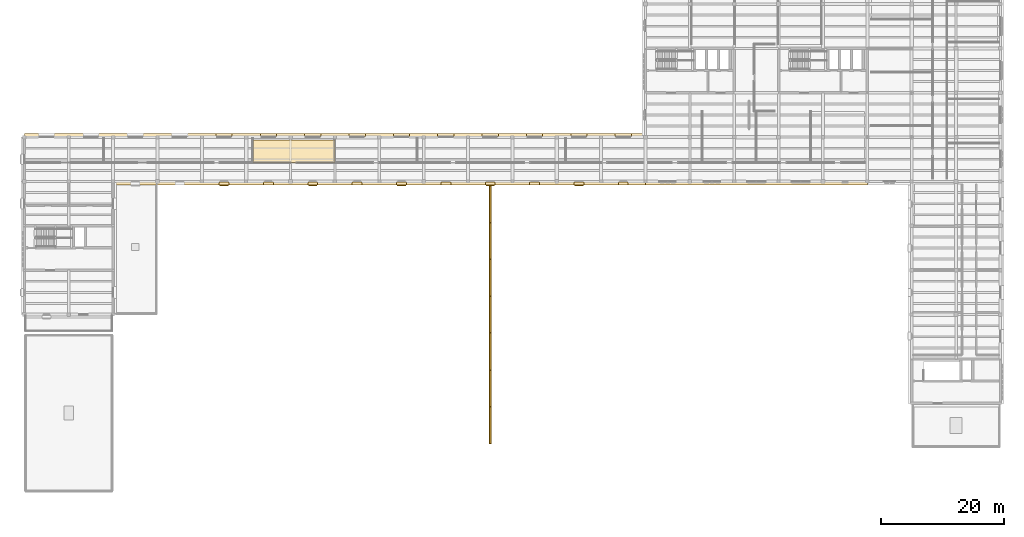
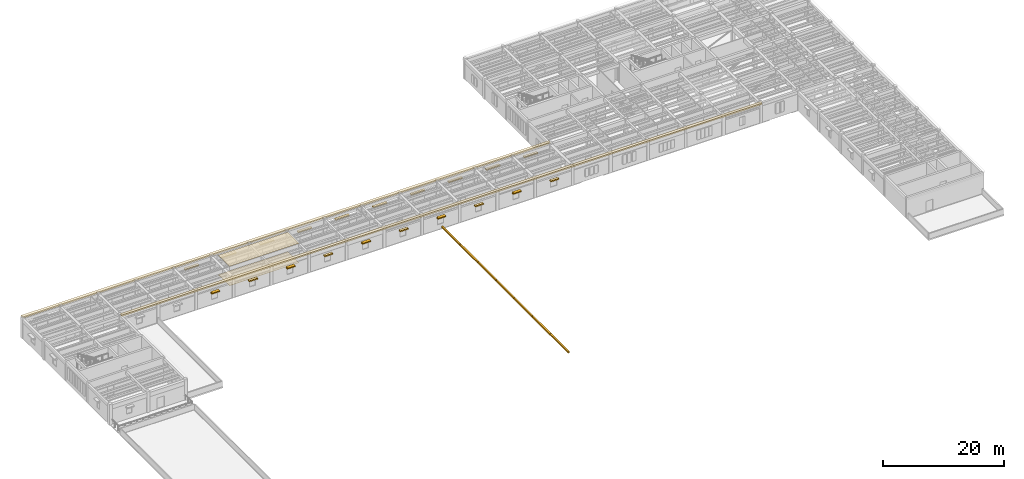
# One storey, part 25 of 27: 32 coverings, 5 shading devices.
"""IFC4 building model written with IfcOpenShell, lengths in metres."""

from ifc_helpers import new_model, si_unit, direction, frame, origin, origin_2d, place, context, subcontext, project, spatial, polyline, rectangle, outline, extrude, material, layer, layer_set, type_object, element, save


model = new_model("IFC4")

# Units and contexts
model_context = context("Model", 3, precision=1e-05, world=origin(), true_north=direction((0.0, 1.0)))
body_context = subcontext(model_context, "Body", "Model", "MODEL_VIEW")
ifc_project = project(units=[si_unit("LENGTHUNIT", "METRE"), si_unit("AREAUNIT", "SQUARE_METRE"), si_unit("VOLUMEUNIT", "CUBIC_METRE"), si_unit("PLANEANGLEUNIT", "RADIAN"), si_unit("MASSUNIT", "GRAM", prefix="KILO")], contexts=[model_context])

# Site, building, storey
site_placement = place(None, origin())
site = spatial("IfcSite", under=ifc_project, at=site_placement, CompositionType="ELEMENT")
building_placement = place(site_placement, origin())
building = spatial("IfcBuilding", under=site, at=building_placement, Name="Mithqara Police Headquarters", CompositionType="ELEMENT")
storey_placement = place(building_placement, frame((0.0, 0.0, 18.0)))
storey = spatial("IfcBuildingStorey", under=building, at=storey_placement, Name="L04", CompositionType="ELEMENT", Elevation=18.0)

# Coverings
ifc_material_1 = material(Name="Acoustic mineral-fibre ceiling tile", Category="gypsum")
ifc_layer_1 = layer(ifc_material_1, 0.02490234375, Name="Acoustic mineral-fibre ceiling tile")
ifc_layer_set_1 = layer_set([ifc_layer_1], Name="Acoustic mineral-fibre ceiling tile")
covering_type_1 = type_object("IfcCoveringType", Name="ACOUSTIC CEILING TILE", PredefinedType="CEILING", material=ifc_layer_set_1)
covering_1_placement = place(storey_placement, frame((0.0, 0.0, 3.9150390625)))
element("IfcCovering", 1, at=covering_1_placement, inside=storey, type_object=covering_type_1, Name="Evidence Review Room Acoustic Ceiling", PredefinedType="CEILING", context=body_context, shape_type="SweptSolid", body=[
    extrude(outline(polyline([(44.875, 81.659912109375), (58.179931640625, 81.659912109375), (58.179931640625, 85.360107421875), (44.875, 85.360107421875), (44.875, 81.659912109375)])), origin(), (0.0, 0.0, 1.0), 0.02490234375),
])
ifc_material_2 = material(Name="Limestone ashlar masonry, 45 MPa", Category="masonry")
ifc_layer_2 = layer(ifc_material_2, 0.320068359375, Name="Limestone ashlar masonry, 45 MPa")
ifc_layer_set_2 = layer_set([ifc_layer_2], Name="Limestone ashlar masonry, 45 MPa")
covering_type_2 = type_object("IfcCoveringType", Name="CORNICE LIMESTONE", PredefinedType="CLADDING", material=ifc_layer_set_2)
covering_2_placement = place(storey_placement, frame((58.199951171875, 86.080078125, 3.919921875), z_axis=(0.0, 0.0, 1.0), x_axis=(1.0, 0.0, 0.0)))
element("IfcCovering", 2, at=covering_2_placement, inside=storey, type_object=covering_type_2, Name="L04 Projecting Ottoman Limestone Eaves Cornice 8", PredefinedType="CLADDING", context=body_context, shape_type="SweptSolid", body=[
    extrude(rectangle(XDim=100.800048828125, YDim=0.56005859375, at=origin_2d()), origin(), (0.0, 0.0, 1.0), 0.280029296875),
])
covering_3_placement = place(storey_placement, frame((65.39990234375, 78.320068359375, 3.919921875), z_axis=(0.0, 0.0, 1.0), x_axis=(1.0, 0.0, 0.0)))
element("IfcCovering", 3, at=covering_3_placement, inside=storey, type_object=covering_type_2, Name="L04 Projecting Ottoman Limestone Eaves Cornice 13", PredefinedType="CLADDING", context=body_context, shape_type="SweptSolid", body=[
    extrude(rectangle(XDim=86.39990234375, YDim=0.56005859375, at=origin_2d()), origin(), (0.0, 0.0, 1.0), 0.280029296875),
])
covering_4_placement = place(storey_placement, frame((126.60009765625, 78.320068359375, 3.919921875), z_axis=(0.0, 0.0, 1.0), x_axis=(1.0, 0.0, 0.0)))
element("IfcCovering", 4, at=covering_4_placement, inside=storey, type_object=covering_type_2, Name="L04 Projecting Ottoman Limestone Eaves Cornice 14", PredefinedType="CLADDING", context=body_context, shape_type="SweptSolid", body=[
    extrude(rectangle(XDim=36.0, YDim=0.56005859375, at=origin_2d()), origin(), (0.0, 0.0, 1.0), 0.280029296875),
])
for number, where, z_axis, x_axis, name in (
    (5, (83.39990234375, 39.04296875, 0.580078125), (0.0, 0.0, 1.0), (1.0, 0.0, 0.0), "Arch Flashing Seam Trim B1-K3"),
    (6, (83.39990234375, 45.028564453125, 0.580078125), (0.0, 0.0, 1.0), (1.0, 0.0, 0.0), "Arch Flashing Seam Trim B2-K3"),
    (7, (83.39990234375, 51.014404296875, 0.580078125), (0.0, 0.0, 1.0), (1.0, 0.0, 0.0), "Arch Flashing Seam Trim B3-K3"),
    (8, (83.39990234375, 57.0, 0.580078125), (0.0, 0.0, 1.0), (1.0, 0.0, 0.0), "Arch Flashing Seam Trim B4-K3"),
    (9, (83.39990234375, 62.985595703125, 0.580078125), (0.0, 0.0, 1.0), (1.0, 0.0, 0.0), "Arch Flashing Seam Trim B5-K3"),
    (10, (83.39990234375, 68.971435546875, 0.580078125), (0.0, 0.0, 1.0), (1.0, 0.0, 0.0), "Arch Flashing Seam Trim B6-K3"),
    (11, (83.39990234375, 74.95703125, 0.580078125), (0.0, 0.0, 1.0), (1.0, 0.0, 0.0), "Arch Flashing Seam Trim B7-K3"),
):
    element("IfcCovering", number, at=place(storey_placement, frame(where, z_axis=z_axis, x_axis=x_axis)), inside=storey, type_object=covering_type_2, Name=name, PredefinedType="CLADDING", context=body_context, shape_type="SweptSolid", body=[
        extrude(rectangle(XDim=0.300048828125, YDim=6.02587890625, at=origin_2d()), origin(), (0.0, 0.0, 1.0), 0.300048828125),
    ])

# Shading devices
ifc_material_3 = material(Name="Bronze anodised aluminium 6063-T6", Category="aluminium")
shading_device_type = type_object("IfcShadingDeviceType", Name="SOLAR LOUVRE BRONZE", PredefinedType="JALOUSIE", material=ifc_material_3)
for number, where, z_axis, x_axis, name in (
    (12, (40.199951171875, 78.18994140625, 2.58984375), (0.0, 0.0, 1.0), (1.0, 0.0, 0.0), "L04 Window Solar Louvre Hood 13.3"),
    (13, (54.60009765625, 78.18994140625, 2.58984375), (0.0, 0.0, 1.0), (1.0, 0.0, 0.0), "L04 Window Solar Louvre Hood 13.5"),
    (14, (69.0, 78.18994140625, 2.58984375), (0.0, 0.0, 1.0), (1.0, 0.0, 0.0), "L04 Window Solar Louvre Hood 13.7"),
    (15, (83.39990234375, 78.18994140625, 2.58984375), (0.0, 0.0, 1.0), (1.0, 0.0, 0.0), "L04 Window Solar Louvre Hood 13.9"),
    (16, (97.800048828125, 78.18994140625, 2.58984375), (0.0, 0.0, 1.0), (1.0, 0.0, 0.0), "L04 Window Solar Louvre Hood 13.11"),
):
    element("IfcShadingDevice", number, at=place(storey_placement, frame(where, z_axis=z_axis, x_axis=x_axis)), inside=storey, type_object=shading_device_type, Name=name, PredefinedType="JALOUSIE", context=body_context, shape_type="SweptSolid", body=[
        extrude(rectangle(XDim=1.449951171875, YDim=0.60009765625, at=origin_2d()), origin(), (0.0, 0.0, 1.0), 0.10009765625),
    ])

# Coverings
ifc_material_4 = material(Name="Polished limestone terrazzo flooring", Category="masonry")
ifc_layer_3 = layer(ifc_material_4, 0.02001953125, Name="Polished limestone terrazzo flooring")
ifc_layer_set_3 = layer_set([ifc_layer_3], Name="Polished limestone terrazzo flooring")
covering_type_3 = type_object("IfcCoveringType", Name="TERRAZZO FLOOR FINISH", PredefinedType="FLOORING", material=ifc_layer_set_3)
covering_5_placement = place(storey_placement, origin())
element("IfcCovering", 17, at=covering_5_placement, inside=storey, type_object=covering_type_3, Name="Evidence Review Room Terrazzo Floor Finish", PredefinedType="FLOORING", context=body_context, shape_type="SweptSolid", body=[
    extrude(outline(polyline([(44.875, 81.659912109375), (58.179931640625, 81.659912109375), (58.179931640625, 85.360107421875), (44.875, 85.360107421875), (44.875, 81.659912109375)])), origin(), (0.0, 0.0, 1.0), 0.02001953125),
])
ifc_layer_4 = layer(ifc_material_2, 0.239990234375, Name="Limestone ashlar masonry, 45 MPa")
ifc_layer_set_4 = layer_set([ifc_layer_4], Name="Limestone ashlar masonry, 45 MPa")
covering_type_4 = type_object("IfcCoveringType", Name="WINDOW HOOD LIMESTONE", PredefinedType="CLADDING", material=ifc_layer_set_4)
for number, where, z_axis, x_axis, name in (
    (18, (40.199951171875, 86.14990234375, 2.6201171875), (0.0, 0.0, 1.0), (1.0, 0.0, 0.0), "L04 Limestone Window Architrave Hood 8.5"),
    (19, (47.39990234375, 86.14990234375, 2.6201171875), (0.0, 0.0, 1.0), (1.0, 0.0, 0.0), "L04 Limestone Window Architrave Hood 8.6"),
    (20, (54.60009765625, 86.14990234375, 2.6201171875), (0.0, 0.0, 1.0), (1.0, 0.0, 0.0), "L04 Limestone Window Architrave Hood 8.7"),
    (21, (61.800048828125, 86.14990234375, 2.6201171875), (0.0, 0.0, 1.0), (1.0, 0.0, 0.0), "L04 Limestone Window Architrave Hood 8.8"),
    (22, (69.0, 86.14990234375, 2.6201171875), (0.0, 0.0, 1.0), (1.0, 0.0, 0.0), "L04 Limestone Window Architrave Hood 8.9"),
    (23, (76.199951171875, 86.14990234375, 2.6201171875), (0.0, 0.0, 1.0), (1.0, 0.0, 0.0), "L04 Limestone Window Architrave Hood 8.10"),
    (24, (83.39990234375, 86.14990234375, 2.6201171875), (0.0, 0.0, 1.0), (1.0, 0.0, 0.0), "L04 Limestone Window Architrave Hood 8.11"),
    (25, (90.60009765625, 86.14990234375, 2.6201171875), (0.0, 0.0, 1.0), (1.0, 0.0, 0.0), "L04 Limestone Window Architrave Hood 8.12"),
    (26, (97.800048828125, 86.14990234375, 2.6201171875), (0.0, 0.0, 1.0), (1.0, 0.0, 0.0), "L04 Limestone Window Architrave Hood 8.13"),
    (27, (105.0, 86.14990234375, 2.6201171875), (0.0, 0.0, 1.0), (1.0, 0.0, 0.0), "L04 Limestone Window Architrave Hood 8.14"),
):
    element("IfcCovering", number, at=place(storey_placement, frame(where, z_axis=z_axis, x_axis=x_axis)), inside=storey, type_object=covering_type_4, Name=name, PredefinedType="CLADDING", context=body_context, shape_type="SweptSolid", body=[
        extrude(rectangle(XDim=2.639892578125, YDim=0.4599609375, at=origin_2d()), origin(), (0.0, 0.0, 1.0), 0.219970703125),
    ])
for number, where, z_axis, x_axis, name in (
    (28, (40.199951171875, 78.25, 2.3701171875), (0.0, 0.0, 1.0), (1.0, 0.0, 0.0), "L04 Limestone Window Architrave Hood 13.3"),
    (29, (47.39990234375, 78.25, 2.3701171875), (0.0, 0.0, 1.0), (1.0, 0.0, 0.0), "L04 Limestone Window Architrave Hood 13.4"),
    (30, (54.60009765625, 78.25, 2.3701171875), (0.0, 0.0, 1.0), (1.0, 0.0, 0.0), "L04 Limestone Window Architrave Hood 13.5"),
    (31, (61.800048828125, 78.25, 2.3701171875), (0.0, 0.0, 1.0), (1.0, 0.0, 0.0), "L04 Limestone Window Architrave Hood 13.6"),
    (32, (69.0, 78.25, 2.3701171875), (0.0, 0.0, 1.0), (1.0, 0.0, 0.0), "L04 Limestone Window Architrave Hood 13.7"),
    (33, (76.199951171875, 78.25, 2.3701171875), (0.0, 0.0, 1.0), (1.0, 0.0, 0.0), "L04 Limestone Window Architrave Hood 13.8"),
    (34, (83.39990234375, 78.25, 2.3701171875), (0.0, 0.0, 1.0), (1.0, 0.0, 0.0), "L04 Limestone Window Architrave Hood 13.9"),
    (35, (90.60009765625, 78.25, 2.3701171875), (0.0, 0.0, 1.0), (1.0, 0.0, 0.0), "L04 Limestone Window Architrave Hood 13.10"),
    (36, (97.800048828125, 78.25, 2.3701171875), (0.0, 0.0, 1.0), (1.0, 0.0, 0.0), "L04 Limestone Window Architrave Hood 13.11"),
    (37, (105.0, 78.25, 2.3701171875), (0.0, 0.0, 1.0), (1.0, 0.0, 0.0), "L04 Limestone Window Architrave Hood 13.12"),
):
    element("IfcCovering", number, at=place(storey_placement, frame(where, z_axis=z_axis, x_axis=x_axis)), inside=storey, type_object=covering_type_4, Name=name, PredefinedType="CLADDING", context=body_context, shape_type="SweptSolid", body=[
        extrude(rectangle(XDim=1.590087890625, YDim=0.4599609375, at=origin_2d()), origin(), (0.0, 0.0, 1.0), 0.219970703125),
    ])

save(model, "model.ifc")
